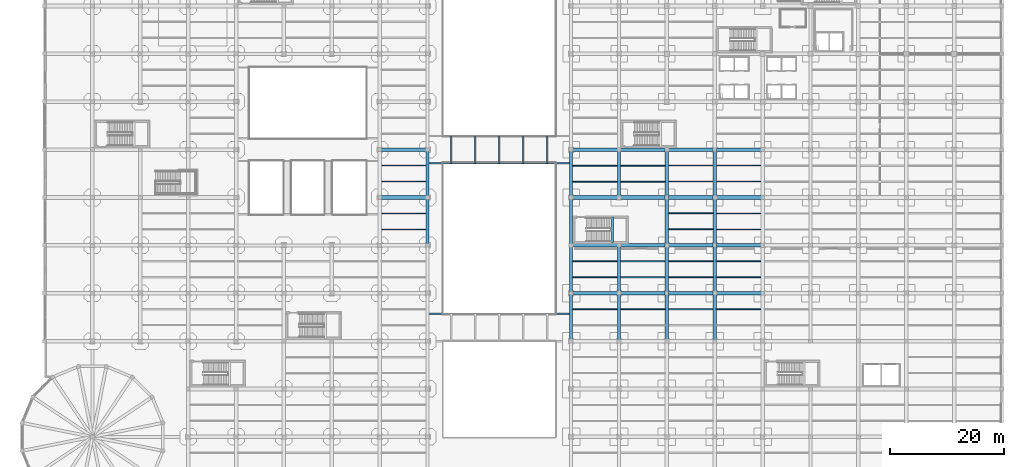
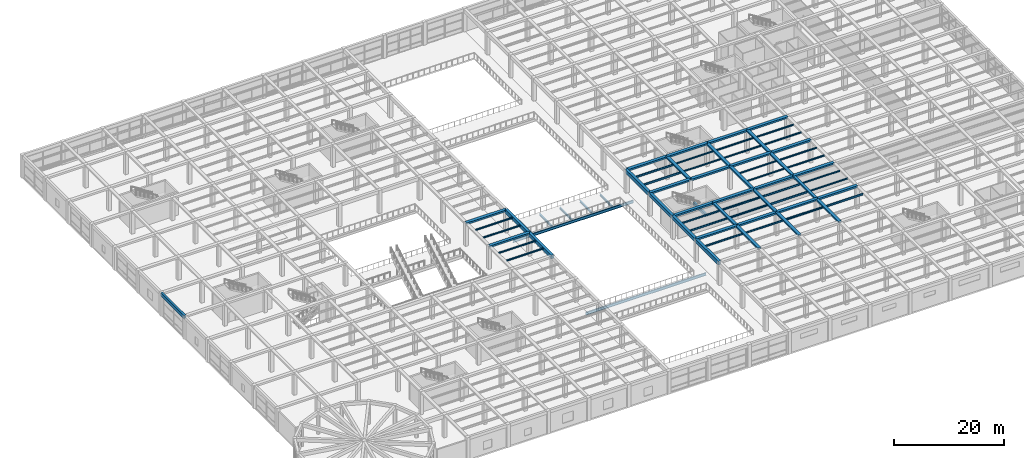
# One storey, part 28 of 96: 72 beams.
"""IFC4 building model written with IfcOpenShell, lengths in metres."""

from ifc_helpers import new_model, si_unit, direction, frame, origin, origin_2d, place, context, subcontext, project, spatial, rectangle, i_section, extrude, material, material_profile, profile_set, type_object, element, save


model = new_model("IFC4")

# Units and contexts
model_context = context("Model", 3, precision=1e-05, world=origin(), true_north=direction((0.0, 1.0)))
body_context = subcontext(model_context, "Body", "Model", "MODEL_VIEW")
ifc_project = project(units=[si_unit("LENGTHUNIT", "METRE"), si_unit("AREAUNIT", "SQUARE_METRE"), si_unit("VOLUMEUNIT", "CUBIC_METRE"), si_unit("PLANEANGLEUNIT", "RADIAN"), si_unit("MASSUNIT", "GRAM", prefix="KILO")], contexts=[model_context])

# Site, building, storey
site_placement = place(None, origin())
site = spatial("IfcSite", under=ifc_project, at=site_placement, CompositionType="ELEMENT")
building_placement = place(site_placement, origin())
building = spatial("IfcBuilding", under=site, at=building_placement, Name="Almacenes y Pasaje Nevantli", CompositionType="ELEMENT")
storey_placement = place(building_placement, frame((0.0, 0.0, 6.0)))
storey = spatial("IfcBuildingStorey", under=building, at=storey_placement, Name="L02", CompositionType="ELEMENT", Elevation=6.0)

# Beams
ifc_material_1 = material(Name="Concrete C35/45", Category="concrete")
ifc_material_profile_1 = material_profile(ifc_material_1, rectangle(XDim=0.39990234375, YDim=0.60009765625, at=origin_2d()), Name="RC-BM-400x600")
ifc_profile_set_1 = profile_set([ifc_material_profile_1], Name="Concrete C35/45")
beam_type_1 = type_object("IfcBeamType", Name="BM-RC-400x600", PredefinedType="SPANDREL", material=ifc_profile_set_1)
beam_1_placement = place(storey_placement, frame((99.64990234375, 42.5, 2.199951171875), z_axis=(0.0, 1.0, 0.0), x_axis=(-1.0, 0.0, 0.0)))
element("IfcBeam", 1, at=beam_1_placement, inside=storey, type_object=beam_type_1, Name="L02 Stair ST-08 Half-Landing Support Beam", PredefinedType="SPANDREL", context=body_context, shape_type="SweptSolid", body=[
    extrude(rectangle(XDim=0.39990234375, YDim=0.60009765625, at=origin_2d()), origin(), (0.0, 0.0, 1.0), 4.449951171875),
])
ifc_material_2 = material(Name="Concrete C35/45", Category="concrete")
ifc_material_profile_2 = material_profile(ifc_material_2, rectangle(XDim=0.449951171875, YDim=0.699951171875, at=origin_2d()), Name="RC-BM-450x700")
ifc_profile_set_2 = profile_set([ifc_material_profile_2], Name="Concrete C35/45")
beam_type_2 = type_object("IfcBeamType", Name="BM-RC-450x700", PredefinedType="SPANDREL", material=ifc_profile_set_2)
beam_2_placement = place(storey_placement, frame((0.0, 58.800048828125, 4.75), z_axis=(0.0, 1.0, 0.0), x_axis=(-1.0, 0.0, 0.0)))
element("IfcBeam", 2, at=beam_2_placement, inside=storey, type_object=beam_type_2, Name="L02 North-South Reinforced Concrete Beam #1970", PredefinedType="SPANDREL", context=body_context, shape_type="SweptSolid", body=[
    extrude(rectangle(XDim=0.449951171875, YDim=0.699951171875, at=origin_2d()), origin(), (0.0, 0.0, 1.0), 8.39990234375),
])
ifc_material_3 = material(Name="Concrete C35/45", Category="concrete")
ifc_material_profile_3 = material_profile(ifc_material_3, rectangle(XDim=0.550048828125, YDim=0.800048828125, at=origin_2d()), Name="RC-BM-550x800")
ifc_profile_set_3 = profile_set([ifc_material_profile_3], Name="Concrete C35/45")
beam_type_3 = type_object("IfcBeamType", Name="BM-RC-550x800", PredefinedType="BEAM", material=ifc_profile_set_3)
beam_3_placement = place(storey_placement, frame((67.199951171875, 42.0, 4.699951171875), z_axis=(0.0, 1.0, 0.0), x_axis=(-1.0, 0.0, 0.0)))
element("IfcBeam", 3, at=beam_3_placement, inside=storey, type_object=beam_type_3, Name="L02 North-South Reinforced Concrete Beam #2060", PredefinedType="BEAM", context=body_context, shape_type="SweptSolid", body=[
    extrude(rectangle(XDim=0.550048828125, YDim=0.800048828125, at=origin_2d()), origin(), (0.0, 0.0, 1.0), 8.39990234375),
])
for number, where, z_axis, x_axis, name in (
    (4, (67.199951171875, 50.39990234375, 4.699951171875), (0.0, 1.0, 0.0), (-1.0, 0.0, 0.0), "L02 North-South Reinforced Concrete Beam #2061"),
    (5, (92.39990234375, 25.199951171875, 4.699951171875), (0.0, 1.0, 0.0), (-1.0, 0.0, 0.0), "L02 North-South Reinforced Concrete Beam #2072"),
):
    element("IfcBeam", number, at=place(storey_placement, frame(where, z_axis=z_axis, x_axis=x_axis)), inside=storey, type_object=beam_type_3, Name=name, PredefinedType="BEAM", context=body_context, shape_type="SweptSolid", body=[
        extrude(rectangle(XDim=0.550048828125, YDim=0.800048828125, at=origin_2d()), origin(), (0.0, 0.0, 1.0), 8.400146484375),
    ])
for number, where, z_axis, x_axis, name in (
    (6, (92.39990234375, 33.60009765625, 4.699951171875), (0.0, 1.0, 0.0), (-1.0, 0.0, 0.0), "L02 North-South Reinforced Concrete Beam #2073"),
    (7, (92.39990234375, 42.0, 4.699951171875), (0.0, 1.0, 0.0), (-1.0, 0.0, 0.0), "L02 North-South Reinforced Concrete Beam #2074"),
):
    element("IfcBeam", number, at=place(storey_placement, frame(where, z_axis=z_axis, x_axis=x_axis)), inside=storey, type_object=beam_type_3, Name=name, PredefinedType="BEAM", context=body_context, shape_type="SweptSolid", body=[
        extrude(rectangle(XDim=0.550048828125, YDim=0.800048828125, at=origin_2d()), origin(), (0.0, 0.0, 1.0), 8.39990234375),
    ])
beam_4_placement = place(storey_placement, frame((92.39990234375, 50.39990234375, 4.699951171875), z_axis=(0.0, 1.0, 0.0), x_axis=(-1.0, 0.0, 0.0)))
element("IfcBeam", 8, at=beam_4_placement, inside=storey, type_object=beam_type_3, Name="L02 North-South Reinforced Concrete Beam #2075", PredefinedType="BEAM", context=body_context, shape_type="SweptSolid", body=[
    extrude(rectangle(XDim=0.550048828125, YDim=0.800048828125, at=origin_2d()), origin(), (0.0, 0.0, 1.0), 8.400146484375),
])
ifc_material_4 = material(Name="Concrete C35/45", Category="concrete")
ifc_material_profile_4 = material_profile(ifc_material_4, rectangle(XDim=0.60009765625, YDim=0.320068359375, at=origin_2d()), Name="RC-BM-600x320")
ifc_profile_set_4 = profile_set([ifc_material_profile_4], Name="Concrete C35/45")
beam_type_4 = type_object("IfcBeamType", Name="BM-RC-600x320", PredefinedType="BEAM", material=ifc_profile_set_4)
beam_5_placement = place(storey_placement, frame((100.800048828125, 25.199951171875, 4.93994140625), z_axis=(0.0, 1.0, 0.0), x_axis=(-1.0, 0.0, 0.0)))
element("IfcBeam", 9, at=beam_5_placement, inside=storey, type_object=beam_type_4, Name="L02 North-South Reinforced Concrete Beam #2086", PredefinedType="BEAM", context=body_context, shape_type="SweptSolid", body=[
    extrude(rectangle(XDim=0.60009765625, YDim=0.320068359375, at=origin_2d()), origin(), (0.0, 0.0, 1.0), 8.400146484375),
])
beam_6_placement = place(storey_placement, frame((109.199951171875, 33.60009765625, 4.93994140625), z_axis=(0.0, 1.0, 0.0), x_axis=(-1.0, 0.0, 0.0)))
element("IfcBeam", 10, at=beam_6_placement, inside=storey, type_object=beam_type_4, Name="L02 North-South Reinforced Concrete Beam #2100", PredefinedType="BEAM", context=body_context, shape_type="SweptSolid", body=[
    extrude(rectangle(XDim=0.60009765625, YDim=0.320068359375, at=origin_2d()), origin(), (0.0, 0.0, 1.0), 8.39990234375),
])
for number, where, z_axis, x_axis, name in (
    (11, (109.199951171875, 50.39990234375, 4.93994140625), (0.0, 1.0, 0.0), (-1.0, 0.0, 0.0), "L02 North-South Reinforced Concrete Beam #2102"),
    (12, (117.60009765625, 25.199951171875, 4.93994140625), (0.0, 1.0, 0.0), (-1.0, 0.0, 0.0), "L02 North-South Reinforced Concrete Beam #2112"),
):
    element("IfcBeam", number, at=place(storey_placement, frame(where, z_axis=z_axis, x_axis=x_axis)), inside=storey, type_object=beam_type_4, Name=name, PredefinedType="BEAM", context=body_context, shape_type="SweptSolid", body=[
        extrude(rectangle(XDim=0.60009765625, YDim=0.320068359375, at=origin_2d()), origin(), (0.0, 0.0, 1.0), 8.400146484375),
    ])
beam_7_placement = place(storey_placement, frame((117.60009765625, 42.0, 4.93994140625), z_axis=(0.0, 1.0, 0.0), x_axis=(-1.0, 0.0, 0.0)))
element("IfcBeam", 13, at=beam_7_placement, inside=storey, type_object=beam_type_4, Name="L02 North-South Reinforced Concrete Beam #2114", PredefinedType="BEAM", context=body_context, shape_type="SweptSolid", body=[
    extrude(rectangle(XDim=0.60009765625, YDim=0.320068359375, at=origin_2d()), origin(), (0.0, 0.0, 1.0), 8.39990234375),
])
ifc_material_5 = material(Name="Concrete C35/45", Category="concrete")
ifc_material_profile_5 = material_profile(ifc_material_5, rectangle(XDim=0.60009765625, YDim=0.340087890625, at=origin_2d()), Name="RC-BM-600x340")
ifc_profile_set_5 = profile_set([ifc_material_profile_5], Name="Concrete C35/45")
beam_type_5 = type_object("IfcBeamType", Name="BM-RC-600x340", PredefinedType="BEAM", material=ifc_profile_set_5)
beam_8_placement = place(storey_placement, frame((100.800048828125, 33.60009765625, 4.929931640625), z_axis=(0.0, 1.0, 0.0), x_axis=(-1.0, 0.0, 0.0)))
element("IfcBeam", 14, at=beam_8_placement, inside=storey, type_object=beam_type_5, Name="L02 North-South Reinforced Concrete Beam #2087", PredefinedType="BEAM", context=body_context, shape_type="SweptSolid", body=[
    extrude(rectangle(XDim=0.60009765625, YDim=0.340087890625, at=origin_2d()), origin(), (0.0, 0.0, 1.0), 8.39990234375),
])
for number, where, z_axis, x_axis, name in (
    (15, (100.800048828125, 50.39990234375, 4.929931640625), (0.0, 1.0, 0.0), (-1.0, 0.0, 0.0), "L02 North-South Reinforced Concrete Beam #2088"),
    (16, (109.199951171875, 25.199951171875, 4.929931640625), (0.0, 1.0, 0.0), (-1.0, 0.0, 0.0), "L02 North-South Reinforced Concrete Beam #2099"),
):
    element("IfcBeam", number, at=place(storey_placement, frame(where, z_axis=z_axis, x_axis=x_axis)), inside=storey, type_object=beam_type_5, Name=name, PredefinedType="BEAM", context=body_context, shape_type="SweptSolid", body=[
        extrude(rectangle(XDim=0.60009765625, YDim=0.340087890625, at=origin_2d()), origin(), (0.0, 0.0, 1.0), 8.400146484375),
    ])
for number, where, z_axis, x_axis, name in (
    (17, (109.199951171875, 42.0, 4.929931640625), (0.0, 1.0, 0.0), (-1.0, 0.0, 0.0), "L02 North-South Reinforced Concrete Beam #2101"),
    (18, (117.60009765625, 33.60009765625, 4.929931640625), (0.0, 1.0, 0.0), (-1.0, 0.0, 0.0), "L02 North-South Reinforced Concrete Beam #2113"),
):
    element("IfcBeam", number, at=place(storey_placement, frame(where, z_axis=z_axis, x_axis=x_axis)), inside=storey, type_object=beam_type_5, Name=name, PredefinedType="BEAM", context=body_context, shape_type="SweptSolid", body=[
        extrude(rectangle(XDim=0.60009765625, YDim=0.340087890625, at=origin_2d()), origin(), (0.0, 0.0, 1.0), 8.39990234375),
    ])
beam_9_placement = place(storey_placement, frame((117.60009765625, 50.39990234375, 4.929931640625), z_axis=(0.0, 1.0, 0.0), x_axis=(-1.0, 0.0, 0.0)))
element("IfcBeam", 19, at=beam_9_placement, inside=storey, type_object=beam_type_5, Name="L02 North-South Reinforced Concrete Beam #2115", PredefinedType="BEAM", context=body_context, shape_type="SweptSolid", body=[
    extrude(rectangle(XDim=0.60009765625, YDim=0.340087890625, at=origin_2d()), origin(), (0.0, 0.0, 1.0), 8.400146484375),
])
ifc_material_6 = material(Name="Concrete C35/45", Category="concrete")
ifc_material_profile_6 = material_profile(ifc_material_6, rectangle(XDim=0.64990234375, YDim=0.35009765625, at=origin_2d()), Name="RC-BM-650x350")
ifc_profile_set_6 = profile_set([ifc_material_profile_6], Name="Concrete C35/45")
beam_type_6 = type_object("IfcBeamType", Name="BM-RC-650x350", PredefinedType="BEAM", material=ifc_profile_set_6)
for number, where, z_axis, x_axis, name in (
    (20, (92.39990234375, 33.60009765625, 4.925048828125), (1.0, 0.0, 0.0), (0.0, 1.0, 0.0), "L02 East-West Reinforced Concrete Beam #1793"),
    (21, (109.199951171875, 33.60009765625, 4.925048828125), (1.0, 0.0, 0.0), (0.0, 1.0, 0.0), "L02 East-West Reinforced Concrete Beam #1795"),
):
    element("IfcBeam", number, at=place(storey_placement, frame(where, z_axis=z_axis, x_axis=x_axis)), inside=storey, type_object=beam_type_6, Name=name, PredefinedType="BEAM", context=body_context, shape_type="SweptSolid", body=[
        extrude(rectangle(XDim=0.64990234375, YDim=0.35009765625, at=origin_2d()), origin(), (0.0, 0.0, 1.0), 8.400146484375),
    ])
for number, where, z_axis, x_axis, name in (
    (22, (100.800048828125, 42.0, 4.925048828125), (1.0, 0.0, 0.0), (0.0, 1.0, 0.0), "L02 East-West Reinforced Concrete Beam #1811"),
    (23, (117.60009765625, 42.0, 4.925048828125), (1.0, 0.0, 0.0), (0.0, 1.0, 0.0), "L02 East-West Reinforced Concrete Beam #1813"),
    (24, (58.800048828125, 50.39990234375, 4.925048828125), (1.0, 0.0, 0.0), (0.0, 1.0, 0.0), "L02 East-West Reinforced Concrete Beam #1823"),
):
    element("IfcBeam", number, at=place(storey_placement, frame(where, z_axis=z_axis, x_axis=x_axis)), inside=storey, type_object=beam_type_6, Name=name, PredefinedType="BEAM", context=body_context, shape_type="SweptSolid", body=[
        extrude(rectangle(XDim=0.64990234375, YDim=0.35009765625, at=origin_2d()), origin(), (0.0, 0.0, 1.0), 8.39990234375),
    ])
for number, where, z_axis, x_axis, name in (
    (25, (92.39990234375, 50.39990234375, 4.925048828125), (1.0, 0.0, 0.0), (0.0, 1.0, 0.0), "L02 East-West Reinforced Concrete Beam #1824"),
    (26, (109.199951171875, 50.39990234375, 4.925048828125), (1.0, 0.0, 0.0), (0.0, 1.0, 0.0), "L02 East-West Reinforced Concrete Beam #1826"),
):
    element("IfcBeam", number, at=place(storey_placement, frame(where, z_axis=z_axis, x_axis=x_axis)), inside=storey, type_object=beam_type_6, Name=name, PredefinedType="BEAM", context=body_context, shape_type="SweptSolid", body=[
        extrude(rectangle(XDim=0.64990234375, YDim=0.35009765625, at=origin_2d()), origin(), (0.0, 0.0, 1.0), 8.400146484375),
    ])
for number, where, z_axis, x_axis, name in (
    (27, (100.800048828125, 58.800048828125, 4.925048828125), (1.0, 0.0, 0.0), (0.0, 1.0, 0.0), "L02 East-West Reinforced Concrete Beam #1839"),
    (28, (117.60009765625, 58.800048828125, 4.925048828125), (1.0, 0.0, 0.0), (0.0, 1.0, 0.0), "L02 East-West Reinforced Concrete Beam #1841"),
):
    element("IfcBeam", number, at=place(storey_placement, frame(where, z_axis=z_axis, x_axis=x_axis)), inside=storey, type_object=beam_type_6, Name=name, PredefinedType="BEAM", context=body_context, shape_type="SweptSolid", body=[
        extrude(rectangle(XDim=0.64990234375, YDim=0.35009765625, at=origin_2d()), origin(), (0.0, 0.0, 1.0), 8.39990234375),
    ])
ifc_material_7 = material(Name="Concrete C35/45", Category="concrete")
ifc_material_profile_7 = material_profile(ifc_material_7, rectangle(XDim=0.64990234375, YDim=0.3798828125, at=origin_2d()), Name="RC-BM-650x380")
ifc_profile_set_7 = profile_set([ifc_material_profile_7], Name="Concrete C35/45")
beam_type_7 = type_object("IfcBeamType", Name="BM-RC-650x380", PredefinedType="BEAM", material=ifc_profile_set_7)
for number, where, z_axis, x_axis, name in (
    (29, (100.800048828125, 33.60009765625, 4.909912109375), (1.0, 0.0, 0.0), (0.0, 1.0, 0.0), "L02 East-West Reinforced Concrete Beam #1794"),
    (30, (117.60009765625, 33.60009765625, 4.909912109375), (1.0, 0.0, 0.0), (0.0, 1.0, 0.0), "L02 East-West Reinforced Concrete Beam #1796"),
):
    element("IfcBeam", number, at=place(storey_placement, frame(where, z_axis=z_axis, x_axis=x_axis)), inside=storey, type_object=beam_type_7, Name=name, PredefinedType="BEAM", context=body_context, shape_type="SweptSolid", body=[
        extrude(rectangle(XDim=0.64990234375, YDim=0.3798828125, at=origin_2d()), origin(), (0.0, 0.0, 1.0), 8.39990234375),
    ])
for number, where, z_axis, x_axis, name in (
    (31, (92.39990234375, 42.0, 4.909912109375), (1.0, 0.0, 0.0), (0.0, 1.0, 0.0), "L02 East-West Reinforced Concrete Beam #1810"),
    (32, (109.199951171875, 42.0, 4.909912109375), (1.0, 0.0, 0.0), (0.0, 1.0, 0.0), "L02 East-West Reinforced Concrete Beam #1812"),
):
    element("IfcBeam", number, at=place(storey_placement, frame(where, z_axis=z_axis, x_axis=x_axis)), inside=storey, type_object=beam_type_7, Name=name, PredefinedType="BEAM", context=body_context, shape_type="SweptSolid", body=[
        extrude(rectangle(XDim=0.64990234375, YDim=0.3798828125, at=origin_2d()), origin(), (0.0, 0.0, 1.0), 8.400146484375),
    ])
for number, where, z_axis, x_axis, name in (
    (33, (100.800048828125, 50.39990234375, 4.909912109375), (1.0, 0.0, 0.0), (0.0, 1.0, 0.0), "L02 East-West Reinforced Concrete Beam #1825"),
    (34, (117.60009765625, 50.39990234375, 4.909912109375), (1.0, 0.0, 0.0), (0.0, 1.0, 0.0), "L02 East-West Reinforced Concrete Beam #1827"),
    (35, (58.800048828125, 58.800048828125, 4.909912109375), (1.0, 0.0, 0.0), (0.0, 1.0, 0.0), "L02 East-West Reinforced Concrete Beam #1837"),
):
    element("IfcBeam", number, at=place(storey_placement, frame(where, z_axis=z_axis, x_axis=x_axis)), inside=storey, type_object=beam_type_7, Name=name, PredefinedType="BEAM", context=body_context, shape_type="SweptSolid", body=[
        extrude(rectangle(XDim=0.64990234375, YDim=0.3798828125, at=origin_2d()), origin(), (0.0, 0.0, 1.0), 8.39990234375),
    ])
for number, where, z_axis, x_axis, name in (
    (36, (92.39990234375, 58.800048828125, 4.909912109375), (1.0, 0.0, 0.0), (0.0, 1.0, 0.0), "L02 East-West Reinforced Concrete Beam #1838"),
    (37, (109.199951171875, 58.800048828125, 4.909912109375), (1.0, 0.0, 0.0), (0.0, 1.0, 0.0), "L02 East-West Reinforced Concrete Beam #1840"),
):
    element("IfcBeam", number, at=place(storey_placement, frame(where, z_axis=z_axis, x_axis=x_axis)), inside=storey, type_object=beam_type_7, Name=name, PredefinedType="BEAM", context=body_context, shape_type="SweptSolid", body=[
        extrude(rectangle(XDim=0.64990234375, YDim=0.3798828125, at=origin_2d()), origin(), (0.0, 0.0, 1.0), 8.400146484375),
    ])
ifc_material_8 = material(Name="Steel ASTM A992", Category="steel")
ifc_material_profile_8 = material_profile(ifc_material_8, i_section(OverallWidth=0.1650390625, OverallDepth=0.306884765625, WebThickness=0.006591796875, FlangeThickness=0.01025390625, at=origin_2d()), Name="IR 305x44.6")
ifc_profile_set_8 = profile_set([ifc_material_profile_8], Name="Steel ASTM A992")
beam_type_8 = type_object("IfcBeamType", Name="BM-STL-IR-305x44p6", PredefinedType="JOIST", material=ifc_profile_set_8)
for number, where, z_axis, x_axis, name in (
    (38, (101.10009765625, 53.199951171875, 4.9384765625), (1.0, 0.0, 0.0), (0.0, 1.0, 0.0), "L02 Secondary Steel Floor Joist #493"),
    (39, (101.10009765625, 56.0, 4.9384765625), (1.0, 0.0, 0.0), (0.0, 1.0, 0.0), "L02 Secondary Steel Floor Joist #494"),
):
    element("IfcBeam", number, at=place(storey_placement, frame(where, z_axis=z_axis, x_axis=x_axis)), inside=storey, type_object=beam_type_8, Name=name, PredefinedType="JOIST", context=body_context, shape_type="SweptSolid", body=[
        extrude(i_section(OverallWidth=0.1650390625, OverallDepth=0.306884765625, WebThickness=0.006591796875, FlangeThickness=0.01025390625, at=origin_2d()), origin(), (0.0, 0.0, 1.0), 7.7998046875),
    ])
for number, where, z_axis, x_axis, name in (
    (40, (109.5, 44.800048828125, 4.9384765625), (1.0, 0.0, 0.0), (0.0, 1.0, 0.0), "L02 Secondary Steel Floor Joist #517"),
    (41, (109.5, 47.60009765625, 4.9384765625), (1.0, 0.0, 0.0), (0.0, 1.0, 0.0), "L02 Secondary Steel Floor Joist #518"),
    (42, (117.89990234375, 36.39990234375, 4.9384765625), (1.0, 0.0, 0.0), (0.0, 1.0, 0.0), "L02 Secondary Steel Floor Joist #541"),
    (43, (117.89990234375, 39.199951171875, 4.9384765625), (1.0, 0.0, 0.0), (0.0, 1.0, 0.0), "L02 Secondary Steel Floor Joist #542"),
):
    element("IfcBeam", number, at=place(storey_placement, frame(where, z_axis=z_axis, x_axis=x_axis)), inside=storey, type_object=beam_type_8, Name=name, PredefinedType="JOIST", context=body_context, shape_type="SweptSolid", body=[
        extrude(i_section(OverallWidth=0.1650390625, OverallDepth=0.306884765625, WebThickness=0.006591796875, FlangeThickness=0.01025390625, at=origin_2d()), origin(), (0.0, 0.0, 1.0), 7.800048828125),
    ])
ifc_material_9 = material(Name="Steel ASTM A992", Category="steel")
ifc_material_profile_9 = material_profile(ifc_material_9, i_section(OverallWidth=0.202880859375, OverallDepth=0.304931640625, WebThickness=0.007568359375, FlangeThickness=0.01318359375, at=origin_2d()), Name="IR 305x59.5")
ifc_profile_set_9 = profile_set([ifc_material_profile_9], Name="Steel ASTM A992")
beam_type_9 = type_object("IfcBeamType", Name="BM-STL-IR-305x59p5", PredefinedType="JOIST", material=ifc_profile_set_9)
for number, where, z_axis, x_axis, name in (
    (44, (59.10009765625, 44.800048828125, 4.939453125), (1.0, 0.0, 0.0), (0.0, 1.0, 0.0), "L02 Secondary Steel Floor Joist #441"),
    (45, (59.10009765625, 47.60009765625, 4.939453125), (1.0, 0.0, 0.0), (0.0, 1.0, 0.0), "L02 Secondary Steel Floor Joist #442"),
):
    element("IfcBeam", number, at=place(storey_placement, frame(where, z_axis=z_axis, x_axis=x_axis)), inside=storey, type_object=beam_type_9, Name=name, PredefinedType="JOIST", context=body_context, shape_type="SweptSolid", body=[
        extrude(i_section(OverallWidth=0.202880859375, OverallDepth=0.304931640625, WebThickness=0.007568359375, FlangeThickness=0.01318359375, at=origin_2d()), origin(), (0.0, 0.0, 1.0), 7.824951171875),
    ])
for number, where, z_axis, x_axis, name in (
    (46, (109.5, 53.199951171875, 4.939453125), (1.0, 0.0, 0.0), (0.0, 1.0, 0.0), "L02 Secondary Steel Floor Joist #519"),
    (47, (109.5, 56.0, 4.939453125), (1.0, 0.0, 0.0), (0.0, 1.0, 0.0), "L02 Secondary Steel Floor Joist #520"),
    (48, (117.89990234375, 44.800048828125, 4.939453125), (1.0, 0.0, 0.0), (0.0, 1.0, 0.0), "L02 Secondary Steel Floor Joist #543"),
    (49, (117.89990234375, 47.60009765625, 4.939453125), (1.0, 0.0, 0.0), (0.0, 1.0, 0.0), "L02 Secondary Steel Floor Joist #544"),
):
    element("IfcBeam", number, at=place(storey_placement, frame(where, z_axis=z_axis, x_axis=x_axis)), inside=storey, type_object=beam_type_9, Name=name, PredefinedType="JOIST", context=body_context, shape_type="SweptSolid", body=[
        extrude(i_section(OverallWidth=0.202880859375, OverallDepth=0.304931640625, WebThickness=0.007568359375, FlangeThickness=0.01318359375, at=origin_2d()), origin(), (0.0, 0.0, 1.0), 7.800048828125),
    ])
ifc_material_10 = material(Name="Steel ASTM A992", Category="steel")
ifc_material_profile_10 = material_profile(ifc_material_10, i_section(OverallWidth=0.205078125, OverallDepth=0.31005859375, WebThickness=0.009521484375, FlangeThickness=0.016357421875, at=origin_2d()), Name="IR 305x74.4")
ifc_profile_set_10 = profile_set([ifc_material_profile_10], Name="Steel ASTM A992")
beam_type_10 = type_object("IfcBeamType", Name="BM-STL-IR-305x74p4", PredefinedType="JOIST", material=ifc_profile_set_10)
for number, where, z_axis, x_axis, name in (
    (50, (59.10009765625, 53.199951171875, 4.93701171875), (1.0, 0.0, 0.0), (0.0, 1.0, 0.0), "L02 Secondary Steel Floor Joist #443"),
    (51, (59.10009765625, 56.0, 4.93701171875), (1.0, 0.0, 0.0), (0.0, 1.0, 0.0), "L02 Secondary Steel Floor Joist #444"),
):
    element("IfcBeam", number, at=place(storey_placement, frame(where, z_axis=z_axis, x_axis=x_axis)), inside=storey, type_object=beam_type_10, Name=name, PredefinedType="JOIST", context=body_context, shape_type="SweptSolid", body=[
        extrude(i_section(OverallWidth=0.205078125, OverallDepth=0.31005859375, WebThickness=0.009521484375, FlangeThickness=0.016357421875, at=origin_2d()), origin(), (0.0, 0.0, 1.0), 7.824951171875),
    ])
for number, where, z_axis, x_axis, name in (
    (52, (117.89990234375, 53.199951171875, 4.93701171875), (1.0, 0.0, 0.0), (0.0, 1.0, 0.0), "L02 Secondary Steel Floor Joist #545"),
    (53, (117.89990234375, 56.0, 4.93701171875), (1.0, 0.0, 0.0), (0.0, 1.0, 0.0), "L02 Secondary Steel Floor Joist #546"),
):
    element("IfcBeam", number, at=place(storey_placement, frame(where, z_axis=z_axis, x_axis=x_axis)), inside=storey, type_object=beam_type_10, Name=name, PredefinedType="JOIST", context=body_context, shape_type="SweptSolid", body=[
        extrude(i_section(OverallWidth=0.205078125, OverallDepth=0.31005859375, WebThickness=0.009521484375, FlangeThickness=0.016357421875, at=origin_2d()), origin(), (0.0, 0.0, 1.0), 7.800048828125),
    ])
ifc_material_11 = material(Name="Steel ASTM A992", Category="steel")
ifc_material_profile_11 = material_profile(ifc_material_11, i_section(OverallWidth=0.173095703125, OverallDepth=0.35302734375, WebThickness=0.0078125, FlangeThickness=0.01318359375, at=origin_2d()), Name="IR 356x56.6")
ifc_profile_set_11 = profile_set([ifc_material_profile_11], Name="Steel ASTM A992")
beam_type_11 = type_object("IfcBeamType", Name="BM-STL-IR-356x56p6", PredefinedType="JOIST", material=ifc_profile_set_11)
beam_10_placement = place(storey_placement, frame((92.675048828125, 30.800048828125, 4.91552734375), z_axis=(1.0, 0.0, 0.0), x_axis=(0.0, 1.0, 0.0)))
element("IfcBeam", 54, at=beam_10_placement, inside=storey, type_object=beam_type_11, Name="L02 Secondary Steel Floor Joist #464", PredefinedType="JOIST", context=body_context, shape_type="SweptSolid", body=[
    extrude(i_section(OverallWidth=0.173095703125, OverallDepth=0.35302734375, WebThickness=0.0078125, FlangeThickness=0.01318359375, at=origin_2d()), origin(), (0.0, 0.0, 1.0), 7.824951171875),
])
ifc_material_12 = material(Name="Steel ASTM A992", Category="steel")
ifc_material_profile_12 = material_profile(ifc_material_12, i_section(OverallWidth=0.173095703125, OverallDepth=0.364013671875, WebThickness=0.009033203125, FlangeThickness=0.015625, at=origin_2d()), Name="IR 356x67.0")
ifc_profile_set_12 = profile_set([ifc_material_profile_12], Name="Steel ASTM A992")
beam_type_12 = type_object("IfcBeamType", Name="BM-STL-IR-356x67p0", PredefinedType="JOIST", material=ifc_profile_set_12)
for number, where, z_axis, x_axis, name in (
    (55, (92.675048828125, 36.39990234375, 4.909912109375), (1.0, 0.0, 0.0), (0.0, 1.0, 0.0), "L02 Secondary Steel Floor Joist #465"),
    (56, (92.675048828125, 39.199951171875, 4.909912109375), (1.0, 0.0, 0.0), (0.0, 1.0, 0.0), "L02 Secondary Steel Floor Joist #466"),
):
    element("IfcBeam", number, at=place(storey_placement, frame(where, z_axis=z_axis, x_axis=x_axis)), inside=storey, type_object=beam_type_12, Name=name, PredefinedType="JOIST", context=body_context, shape_type="SweptSolid", body=[
        extrude(i_section(OverallWidth=0.173095703125, OverallDepth=0.364013671875, WebThickness=0.009033203125, FlangeThickness=0.015625, at=origin_2d()), origin(), (0.0, 0.0, 1.0), 7.824951171875),
    ])
beam_11_placement = place(storey_placement, frame((101.10009765625, 30.800048828125, 4.909912109375), z_axis=(1.0, 0.0, 0.0), x_axis=(0.0, 1.0, 0.0)))
element("IfcBeam", 57, at=beam_11_placement, inside=storey, type_object=beam_type_12, Name="L02 Secondary Steel Floor Joist #490", PredefinedType="JOIST", context=body_context, shape_type="SweptSolid", body=[
    extrude(i_section(OverallWidth=0.173095703125, OverallDepth=0.364013671875, WebThickness=0.009033203125, FlangeThickness=0.015625, at=origin_2d()), origin(), (0.0, 0.0, 1.0), 7.7998046875),
])
ifc_material_13 = material(Name="Steel ASTM A992", Category="steel")
ifc_material_profile_13 = material_profile(ifc_material_13, i_section(OverallWidth=0.25390625, OverallDepth=0.35595703125, WebThickness=0.009521484375, FlangeThickness=0.016357421875, at=origin_2d()), Name="IR 356x79.0")
ifc_profile_set_13 = profile_set([ifc_material_profile_13], Name="Steel ASTM A992")
beam_type_13 = type_object("IfcBeamType", Name="BM-STL-IR-356x79p0", PredefinedType="JOIST", material=ifc_profile_set_13)
for number, where, z_axis, x_axis, name in (
    (58, (101.10009765625, 36.39990234375, 4.9140625), (1.0, 0.0, 0.0), (0.0, 1.0, 0.0), "L02 Secondary Steel Floor Joist #491"),
    (59, (101.10009765625, 39.199951171875, 4.9140625), (1.0, 0.0, 0.0), (0.0, 1.0, 0.0), "L02 Secondary Steel Floor Joist #492"),
):
    element("IfcBeam", number, at=place(storey_placement, frame(where, z_axis=z_axis, x_axis=x_axis)), inside=storey, type_object=beam_type_13, Name=name, PredefinedType="JOIST", context=body_context, shape_type="SweptSolid", body=[
        extrude(i_section(OverallWidth=0.25390625, OverallDepth=0.35595703125, WebThickness=0.009521484375, FlangeThickness=0.016357421875, at=origin_2d()), origin(), (0.0, 0.0, 1.0), 7.7998046875),
    ])
beam_12_placement = place(storey_placement, frame((109.5, 30.800048828125, 4.9140625), z_axis=(1.0, 0.0, 0.0), x_axis=(0.0, 1.0, 0.0)))
element("IfcBeam", 60, at=beam_12_placement, inside=storey, type_object=beam_type_13, Name="L02 Secondary Steel Floor Joist #514", PredefinedType="JOIST", context=body_context, shape_type="SweptSolid", body=[
    extrude(i_section(OverallWidth=0.25390625, OverallDepth=0.35595703125, WebThickness=0.009521484375, FlangeThickness=0.016357421875, at=origin_2d()), origin(), (0.0, 0.0, 1.0), 7.800048828125),
])
ifc_material_14 = material(Name="Steel ASTM A992", Category="steel")
ifc_material_profile_14 = material_profile(ifc_material_14, i_section(OverallWidth=0.178955078125, OverallDepth=0.406005859375, WebThickness=0.0087890625, FlangeThickness=0.014404296875, at=origin_2d()), Name="IR 406x67.0")
ifc_profile_set_14 = profile_set([ifc_material_profile_14], Name="Steel ASTM A992")
beam_type_14 = type_object("IfcBeamType", Name="BM-STL-IR-406x67p0", PredefinedType="JOIST", material=ifc_profile_set_14)
for number, where, z_axis, x_axis, name in (
    (61, (92.675048828125, 53.199951171875, 4.888916015625), (1.0, 0.0, 0.0), (0.0, 1.0, 0.0), "L02 Secondary Steel Floor Joist #467"),
    (62, (92.675048828125, 56.0, 4.888916015625), (1.0, 0.0, 0.0), (0.0, 1.0, 0.0), "L02 Secondary Steel Floor Joist #468"),
):
    element("IfcBeam", number, at=place(storey_placement, frame(where, z_axis=z_axis, x_axis=x_axis)), inside=storey, type_object=beam_type_14, Name=name, PredefinedType="JOIST", context=body_context, shape_type="SweptSolid", body=[
        extrude(i_section(OverallWidth=0.178955078125, OverallDepth=0.406005859375, WebThickness=0.0087890625, FlangeThickness=0.014404296875, at=origin_2d()), origin(), (0.0, 0.0, 1.0), 7.824951171875),
    ])
for number, where, z_axis, x_axis, name in (
    (63, (109.5, 36.39990234375, 4.888916015625), (1.0, 0.0, 0.0), (0.0, 1.0, 0.0), "L02 Secondary Steel Floor Joist #515"),
    (64, (109.5, 39.199951171875, 4.888916015625), (1.0, 0.0, 0.0), (0.0, 1.0, 0.0), "L02 Secondary Steel Floor Joist #516"),
    (65, (117.89990234375, 30.800048828125, 4.888916015625), (1.0, 0.0, 0.0), (0.0, 1.0, 0.0), "L02 Secondary Steel Floor Joist #540"),
):
    element("IfcBeam", number, at=place(storey_placement, frame(where, z_axis=z_axis, x_axis=x_axis)), inside=storey, type_object=beam_type_14, Name=name, PredefinedType="JOIST", context=body_context, shape_type="SweptSolid", body=[
        extrude(i_section(OverallWidth=0.178955078125, OverallDepth=0.406005859375, WebThickness=0.0087890625, FlangeThickness=0.014404296875, at=origin_2d()), origin(), (0.0, 0.0, 1.0), 7.800048828125),
    ])
ifc_material_15 = material(Name="Steel ASTM A992", Category="steel")
ifc_material_profile_15 = material_profile(ifc_material_15, i_section(OverallWidth=0.260009765625, OverallDepth=0.4130859375, WebThickness=0.010009765625, FlangeThickness=0.017333984375, at=origin_2d()), Name="IR 406x99.7")
ifc_profile_set_15 = profile_set([ifc_material_profile_15], Name="Steel ASTM A992")
beam_type_15 = type_object("IfcBeamType", Name="BM-STL-IR-406x99p7", PredefinedType="BEAM", material=ifc_profile_set_15)
for number, where, z_axis, x_axis, name in (
    (66, (71.39990234375, 56.39990234375, -0.514404296875), (0.0, 1.0, 0.0), (-1.0, 0.0, 0.0), "L02 Arcade Gallery Bridge Cross Beam #10"),
    (67, (75.60009765625, 56.39990234375, -0.514404296875), (0.0, 1.0, 0.0), (-1.0, 0.0, 0.0), "L02 Arcade Gallery Bridge Cross Beam #11"),
    (68, (79.800048828125, 56.39990234375, -0.514404296875), (0.0, 1.0, 0.0), (-1.0, 0.0, 0.0), "L02 Arcade Gallery Bridge Cross Beam #12"),
    (69, (84.0, 56.39990234375, -0.514404296875), (0.0, 1.0, 0.0), (-1.0, 0.0, 0.0), "L02 Arcade Gallery Bridge Cross Beam #13"),
    (70, (88.199951171875, 56.39990234375, -0.514404296875), (0.0, 1.0, 0.0), (-1.0, 0.0, 0.0), "L02 Arcade Gallery Bridge Cross Beam #14"),
):
    element("IfcBeam", number, at=place(storey_placement, frame(where, z_axis=z_axis, x_axis=x_axis)), inside=storey, type_object=beam_type_15, Name=name, PredefinedType="BEAM", context=body_context, shape_type="SweptSolid", body=[
        extrude(i_section(OverallWidth=0.260009765625, OverallDepth=0.4130859375, WebThickness=0.010009765625, FlangeThickness=0.017333984375, at=origin_2d()), origin(), (0.0, 0.0, 1.0), 4.800048828125),
    ])
ifc_material_16 = material(Name="Steel ASTM A992", Category="steel")
ifc_material_profile_16 = material_profile(ifc_material_16, i_section(OverallWidth=0.22900390625, OverallDepth=0.612060546875, WebThickness=0.011962890625, FlangeThickness=0.01953125, at=origin_2d()), Name="IR 610x125.0")
ifc_profile_set_16 = profile_set([ifc_material_profile_16], Name="Steel ASTM A992")
beam_type_16 = type_object("IfcBeamType", Name="BM-STL-IR-610x125p0", PredefinedType="BEAM", material=ifc_profile_set_16)
beam_13_placement = place(storey_placement, frame((67.199951171875, 30.0, -0.614013671875), z_axis=(1.0, 0.0, 0.0), x_axis=(0.0, 1.0, 0.0)))
element("IfcBeam", 71, at=beam_13_placement, inside=storey, type_object=beam_type_16, Name="L02 Arcade Gallery Bridge Steel Girder BRG-ARC-1.2", PredefinedType="BEAM", context=body_context, shape_type="SweptSolid", body=[
    extrude(i_section(OverallWidth=0.22900390625, OverallDepth=0.612060546875, WebThickness=0.011962890625, FlangeThickness=0.01953125, at=origin_2d()), origin(), (0.0, 0.0, 1.0), 25.199951171875),
])
ifc_material_17 = material(Name="Steel ASTM A992", Category="steel")
ifc_material_profile_17 = material_profile(ifc_material_17, i_section(OverallWidth=0.22998046875, OverallDepth=0.616943359375, WebThickness=0.01318359375, FlangeThickness=0.022216796875, at=origin_2d()), Name="IR 610x140.0")
ifc_profile_set_17 = profile_set([ifc_material_profile_17], Name="Steel ASTM A992")
beam_type_17 = type_object("IfcBeamType", Name="BM-STL-IR-610x140p0", PredefinedType="BEAM", material=ifc_profile_set_17)
beam_14_placement = place(storey_placement, frame((67.199951171875, 56.39990234375, -0.616455078125), z_axis=(1.0, 0.0, 0.0), x_axis=(0.0, 1.0, 0.0)))
element("IfcBeam", 72, at=beam_14_placement, inside=storey, type_object=beam_type_17, Name="L02 Arcade Gallery Bridge Steel Girder BRG-ARC-2.1", PredefinedType="BEAM", context=body_context, shape_type="SweptSolid", body=[
    extrude(i_section(OverallWidth=0.22998046875, OverallDepth=0.616943359375, WebThickness=0.01318359375, FlangeThickness=0.022216796875, at=origin_2d()), origin(), (0.0, 0.0, 1.0), 25.199951171875),
])

save(model, "model.ifc")
